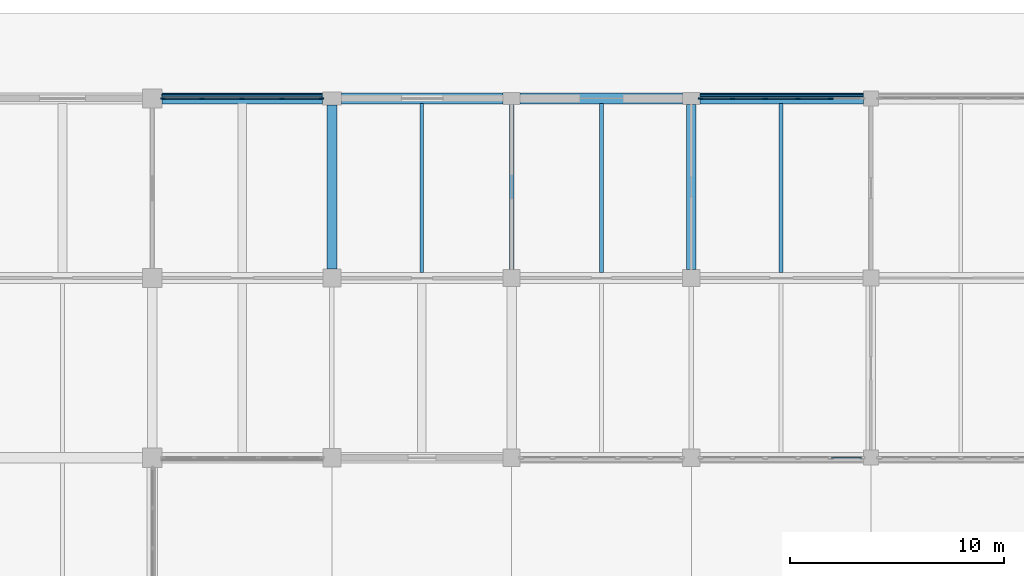
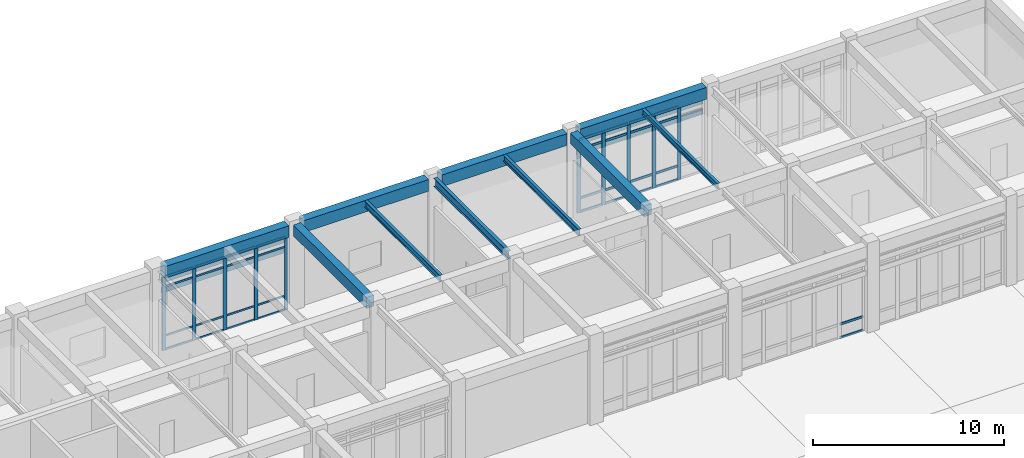
# One storey, part 45 of 91: 48 members, 10 beams, 3 elements without a shape of their own.
"""IFC4 building model written with IfcOpenShell, lengths in metres."""

from ifc_helpers import new_model, si_unit, direction, frame, origin, origin_2d, place, context, subcontext, project, spatial, rectangle, i_section, extrude, material, layer, layer_set, material_profile, profile_set, type_object, element, aggregate, save


model = new_model("IFC4")

# Units and contexts
model_context = context("Model", 3, precision=1e-05, world=origin(), true_north=direction((0.0, 1.0)))
body_context = subcontext(model_context, "Body", "Model", "MODEL_VIEW")
ifc_project = project(units=[si_unit("LENGTHUNIT", "METRE"), si_unit("AREAUNIT", "SQUARE_METRE"), si_unit("VOLUMEUNIT", "CUBIC_METRE"), si_unit("PLANEANGLEUNIT", "RADIAN"), si_unit("MASSUNIT", "GRAM", prefix="KILO")], contexts=[model_context])

# Site, building, storey
site_placement = place(None, origin())
site = spatial("IfcSite", under=ifc_project, at=site_placement, CompositionType="ELEMENT")
building_placement = place(site_placement, origin())
building = spatial("IfcBuilding", under=site, at=building_placement, Name="Porcellanite Civic Hall", CompositionType="ELEMENT")
storey_placement = place(building_placement, origin())
storey = spatial("IfcBuildingStorey", under=building, at=storey_placement, Name="L00", CompositionType="ELEMENT", Elevation=0.0)

# Beams
ifc_material_1 = material(Name="Concrete N50 (50 MPa)", Category="concrete")
ifc_material_profile_1 = material_profile(ifc_material_1, rectangle(XDim=0.449951171875, YDim=0.699951171875, at=origin_2d()), Name="RC-450x700")
ifc_profile_set_1 = profile_set([ifc_material_profile_1], Name="Concrete N50 (50 MPa)")
beam_type_1 = type_object("IfcBeamType", Name="BM-RC700", PredefinedType="BEAM", material=ifc_profile_set_1)
beam_1_placement = place(storey_placement, frame((134.39990234375, 109.62451171875, 5.14990234375), z_axis=(0.0, 1.0, 0.0), x_axis=(-1.0, 0.0, 0.0)))
element("IfcBeam", 1, at=beam_1_placement, inside=storey, type_object=beam_type_1, Name="Beam Y L00 17-14", PredefinedType="BEAM", context=body_context, shape_type="SweptSolid", body=[
    extrude(rectangle(XDim=0.449951171875, YDim=0.699951171875, at=origin_2d()), origin(), (0.0, 0.0, 1.0), 7.676025390625),
])
beam_2_placement = place(storey_placement, frame((151.199951171875, 109.599609375, 5.14990234375), z_axis=(0.0, 1.0, 0.0), x_axis=(-1.0, 0.0, 0.0)))
element("IfcBeam", 2, at=beam_2_placement, inside=storey, type_object=beam_type_1, Name="Beam Y L00 19-14", PredefinedType="BEAM", context=body_context, shape_type="SweptSolid", body=[
    extrude(rectangle(XDim=0.449951171875, YDim=0.699951171875, at=origin_2d()), origin(), (0.0, 0.0, 1.0), 7.725830078125),
])
ifc_material_2 = material(Name="Concrete N50 (50 MPa)", Category="concrete")
ifc_material_profile_2 = material_profile(ifc_material_2, rectangle(XDim=0.5, YDim=0.75, at=origin_2d()), Name="RC-500x750")
ifc_profile_set_2 = profile_set([ifc_material_profile_2], Name="Concrete N50 (50 MPa)")
beam_type_2 = type_object("IfcBeamType", Name="BM-RC750", PredefinedType="SPANDREL", material=ifc_profile_set_2)
beam_3_placement = place(storey_placement, frame((126.449462890625, 117.60009765625, 5.125), z_axis=(1.0, 0.0, 0.0), x_axis=(0.0, 1.0, 0.0)))
element("IfcBeam", 3, at=beam_3_placement, inside=storey, type_object=beam_type_2, Name="Beam X L00 16-15", PredefinedType="SPANDREL", context=body_context, shape_type="SweptSolid", body=[
    extrude(rectangle(XDim=0.5, YDim=0.75, at=origin_2d()), origin(), (0.0, 0.0, 1.0), 7.5009765625),
])
beam_4_placement = place(storey_placement, frame((134.849609375, 117.60009765625, 5.125), z_axis=(1.0, 0.0, 0.0), x_axis=(0.0, 1.0, 0.0)))
element("IfcBeam", 4, at=beam_4_placement, inside=storey, type_object=beam_type_2, Name="Beam X L00 17-15", PredefinedType="SPANDREL", context=body_context, shape_type="SweptSolid", body=[
    extrude(rectangle(XDim=0.5, YDim=0.75, at=origin_2d()), origin(), (0.0, 0.0, 1.0), 7.55078125),
])
beam_5_placement = place(storey_placement, frame((143.199462890625, 117.60009765625, 5.125), z_axis=(1.0, 0.0, 0.0), x_axis=(0.0, 1.0, 0.0)))
element("IfcBeam", 5, at=beam_5_placement, inside=storey, type_object=beam_type_2, Name="Beam X L00 18-15", PredefinedType="SPANDREL", context=body_context, shape_type="SweptSolid", body=[
    extrude(rectangle(XDim=0.5, YDim=0.75, at=origin_2d()), origin(), (0.0, 0.0, 1.0), 7.60107421875),
])
beam_6_placement = place(storey_placement, frame((151.599609375, 117.60009765625, 5.125), z_axis=(1.0, 0.0, 0.0), x_axis=(0.0, 1.0, 0.0)))
element("IfcBeam", 6, at=beam_6_placement, inside=storey, type_object=beam_type_2, Name="Beam X L00 19-15", PredefinedType="SPANDREL", context=body_context, shape_type="SweptSolid", body=[
    extrude(rectangle(XDim=0.5, YDim=0.75, at=origin_2d()), origin(), (0.0, 0.0, 1.0), 7.65087890625),
])

# Curtain wall, members
ifc_material_3 = material(Name="Anodised aluminium and solar laminated glass", Category="aluminium")
ifc_layer_1 = layer(ifc_material_3, 0.179931640625)
ifc_layer_set_1 = layer_set([ifc_layer_1], Name="Anodised aluminium and solar laminated glass")
curtain_wall_type_1 = type_object("IfcCurtainWallType", Name="CW-SYS03", PredefinedType="NOTDEFINED", material=ifc_layer_set_1)
curtain_wall_1_placement = place(storey_placement, origin())
curtain_wall_1 = element("IfcCurtainWall", 7, at=curtain_wall_1_placement, inside=storey, type_object=curtain_wall_type_1, Name="Curtain wall CW-048", PredefinedType="NOTDEFINED")
ifc_material_4 = material(Name="Anodised aluminium 6063-T6", Category="aluminium")
ifc_material_profile_3 = material_profile(ifc_material_4, rectangle(XDim=0.080078125, YDim=0.2099609375, at=origin_2d()), Name="AL-80x210")
ifc_profile_set_3 = profile_set([ifc_material_profile_3], Name="Anodised aluminium 6063-T6")
member_type_1 = type_object("IfcMemberType", Name="CWM-02", PredefinedType="MULLION", material=ifc_profile_set_3)
member_1_placement = place(storey_placement, frame((126.490966796875, 117.60009765625, 0.0), z_axis=(0.0, 0.0, 1.0), x_axis=(0.0, 1.0, 0.0)))
member_1 = element("IfcMember", 8, at=member_1_placement, type_object=member_type_1, Name="CW-048 mullion 1", PredefinedType="MULLION", context=body_context, shape_type="SweptSolid", body=[
    extrude(rectangle(XDim=0.080078125, YDim=0.2099609375, at=origin_2d()), origin(), (0.0, 0.0, 1.0), 4.699951171875),
])
member_2_placement = place(storey_placement, frame((128.325439453125, 117.60009765625, 0.0), z_axis=(0.0, 0.0, 1.0), x_axis=(0.0, 1.0, 0.0)))
member_2 = element("IfcMember", 9, at=member_2_placement, type_object=member_type_1, Name="CW-048 mullion 2", PredefinedType="MULLION", context=body_context, shape_type="SweptSolid", body=[
    extrude(rectangle(XDim=0.080078125, YDim=0.2099609375, at=origin_2d()), origin(), (0.0, 0.0, 1.0), 4.699951171875),
])
member_3_placement = place(storey_placement, frame((130.199951171875, 117.60009765625, 0.0), z_axis=(0.0, 0.0, 1.0), x_axis=(0.0, 1.0, 0.0)))
member_3 = element("IfcMember", 10, at=member_3_placement, type_object=member_type_1, Name="CW-048 mullion 3", PredefinedType="MULLION", context=body_context, shape_type="SweptSolid", body=[
    extrude(rectangle(XDim=0.080078125, YDim=0.2099609375, at=origin_2d()), origin(), (0.0, 0.0, 1.0), 4.699951171875),
])
member_4_placement = place(storey_placement, frame((132.074462890625, 117.60009765625, 0.0), z_axis=(0.0, 0.0, 1.0), x_axis=(0.0, 1.0, 0.0)))
member_4 = element("IfcMember", 11, at=member_4_placement, type_object=member_type_1, Name="CW-048 mullion 4", PredefinedType="MULLION", context=body_context, shape_type="SweptSolid", body=[
    extrude(rectangle(XDim=0.080078125, YDim=0.2099609375, at=origin_2d()), origin(), (0.0, 0.0, 1.0), 4.699951171875),
])
member_5_placement = place(storey_placement, frame((133.908935546875, 117.60009765625, 0.0), z_axis=(0.0, 0.0, 1.0), x_axis=(0.0, 1.0, 0.0)))
member_5 = element("IfcMember", 12, at=member_5_placement, type_object=member_type_1, Name="CW-048 mullion 5", PredefinedType="MULLION", context=body_context, shape_type="SweptSolid", body=[
    extrude(rectangle(XDim=0.080078125, YDim=0.2099609375, at=origin_2d()), origin(), (0.0, 0.0, 1.0), 4.699951171875),
])

ifc_material_5 = material(Name="Anodised aluminium and solar laminated glass", Category="aluminium")
ifc_layer_2 = layer(ifc_material_5, 0.179931640625)
ifc_layer_set_2 = layer_set([ifc_layer_2], Name="Anodised aluminium and solar laminated glass")
curtain_wall_type_2 = type_object("IfcCurtainWallType", Name="CW-SYS02", PredefinedType="NOTDEFINED", material=ifc_layer_set_2)
curtain_wall_2_placement = place(storey_placement, origin())
curtain_wall_2 = element("IfcCurtainWall", 13, at=curtain_wall_2_placement, inside=storey, type_object=curtain_wall_type_2, Name="Curtain wall CW-053", PredefinedType="NOTDEFINED")
ifc_material_6 = material(Name="Anodised aluminium 6063-T6", Category="aluminium")
ifc_material_profile_4 = material_profile(ifc_material_6, rectangle(XDim=0.074951171875, YDim=0.219970703125, at=origin_2d()), Name="AL-75x220")
ifc_profile_set_4 = profile_set([ifc_material_profile_4], Name="Anodised aluminium 6063-T6")
member_type_2 = type_object("IfcMemberType", Name="CWM-03", PredefinedType="MULLION", material=ifc_profile_set_4)
member_6_placement = place(storey_placement, frame((151.638427734375, 117.60009765625, 0.0), z_axis=(0.0, 0.0, 1.0), x_axis=(0.0, 1.0, 0.0)))
member_6 = element("IfcMember", 14, at=member_6_placement, type_object=member_type_2, Name="CW-053 mullion 1", PredefinedType="MULLION", context=body_context, shape_type="SweptSolid", body=[
    extrude(rectangle(XDim=0.074951171875, YDim=0.219970703125, at=origin_2d()), origin(), (0.0, 0.0, 1.0), 4.699951171875),
])
member_7_placement = place(storey_placement, frame((153.130615234375, 117.60009765625, 0.0), z_axis=(0.0, 0.0, 1.0), x_axis=(0.0, 1.0, 0.0)))
member_7 = element("IfcMember", 15, at=member_7_placement, type_object=member_type_2, Name="CW-053 mullion 2", PredefinedType="MULLION", context=body_context, shape_type="SweptSolid", body=[
    extrude(rectangle(XDim=0.074951171875, YDim=0.219970703125, at=origin_2d()), origin(), (0.0, 0.0, 1.0), 4.699951171875),
])
member_8_placement = place(storey_placement, frame((154.66015625, 117.60009765625, 0.0), z_axis=(0.0, 0.0, 1.0), x_axis=(0.0, 1.0, 0.0)))
member_8 = element("IfcMember", 16, at=member_8_placement, type_object=member_type_2, Name="CW-053 mullion 3", PredefinedType="MULLION", context=body_context, shape_type="SweptSolid", body=[
    extrude(rectangle(XDim=0.074951171875, YDim=0.219970703125, at=origin_2d()), origin(), (0.0, 0.0, 1.0), 4.699951171875),
])
member_9_placement = place(storey_placement, frame((156.189697265625, 117.60009765625, 0.0), z_axis=(0.0, 0.0, 1.0), x_axis=(0.0, 1.0, 0.0)))
member_9 = element("IfcMember", 17, at=member_9_placement, type_object=member_type_2, Name="CW-053 mullion 4", PredefinedType="MULLION", context=body_context, shape_type="SweptSolid", body=[
    extrude(rectangle(XDim=0.074951171875, YDim=0.219970703125, at=origin_2d()), origin(), (0.0, 0.0, 1.0), 4.699951171875),
])
member_10_placement = place(storey_placement, frame((157.719482421875, 117.60009765625, 0.0), z_axis=(0.0, 0.0, 1.0), x_axis=(0.0, 1.0, 0.0)))
member_10 = element("IfcMember", 18, at=member_10_placement, type_object=member_type_2, Name="CW-053 mullion 5", PredefinedType="MULLION", context=body_context, shape_type="SweptSolid", body=[
    extrude(rectangle(XDim=0.074951171875, YDim=0.219970703125, at=origin_2d()), origin(), (0.0, 0.0, 1.0), 4.699951171875),
])

curtain_wall_3_placement = place(storey_placement, origin())
curtain_wall_3 = element("IfcCurtainWall", 19, at=curtain_wall_3_placement, inside=storey, type_object=curtain_wall_type_2, Name="Curtain wall CW-052", PredefinedType="NOTDEFINED")
ifc_material_7 = material(Name="Anodised aluminium 6063-T6", Category="aluminium")
ifc_material_profile_5 = material_profile(ifc_material_7, rectangle(XDim=0.06494140625, YDim=0.14990234375, at=origin_2d()), Name="AL-65x150")
ifc_profile_set_5 = profile_set([ifc_material_profile_5], Name="Anodised aluminium 6063-T6")
member_type_3 = type_object("IfcMemberType", Name="CWT-02", PredefinedType="USERDEFINED", material=ifc_profile_set_5)
member_11_placement = place(storey_placement, frame((159.174072265625, 100.800048828125, 0.032470703125), z_axis=(-1.0, 0.0, 0.0), x_axis=(0.0, -1.0, 0.0)))
member_11 = element("IfcMember", 20, at=member_11_placement, type_object=member_type_3, Name="CW-052 transom 1.1", ObjectType="TRANSOM", PredefinedType="USERDEFINED", context=body_context, shape_type="SweptSolid", body=[
    extrude(rectangle(XDim=0.06494140625, YDim=0.14990234375, at=origin_2d()), origin(), (0.0, 0.0, 1.0), 1.417236328125),
])
member_12_placement = place(storey_placement, frame((159.174072265625, 100.800048828125, 0.89990234375), z_axis=(-1.0, 0.0, 0.0), x_axis=(0.0, -1.0, 0.0)))
member_12 = element("IfcMember", 21, at=member_12_placement, type_object=member_type_3, Name="CW-052 transom 1.2", ObjectType="TRANSOM", PredefinedType="USERDEFINED", context=body_context, shape_type="SweptSolid", body=[
    extrude(rectangle(XDim=0.06494140625, YDim=0.14990234375, at=origin_2d()), origin(), (0.0, 0.0, 1.0), 1.417236328125),
])
aggregate(curtain_wall_3, [member_11, member_12])

# Member
member_13_placement = place(storey_placement, frame((151.676025390625, 117.60009765625, 0.032470703125), z_axis=(1.0, 0.0, 0.0), x_axis=(0.0, 1.0, 0.0)))
member_13 = element("IfcMember", 22, at=member_13_placement, type_object=member_type_3, Name="CW-053 transom 1.1", ObjectType="TRANSOM", PredefinedType="USERDEFINED", context=body_context, shape_type="SweptSolid", body=[
    extrude(rectangle(XDim=0.06494140625, YDim=0.14990234375, at=origin_2d()), origin(), (0.0, 0.0, 1.0), 1.4169921875),
])

member_14_placement = place(storey_placement, frame((151.676025390625, 117.60009765625, 0.89990234375), z_axis=(1.0, 0.0, 0.0), x_axis=(0.0, 1.0, 0.0)))
member_14 = element("IfcMember", 23, at=member_14_placement, type_object=member_type_3, Name="CW-053 transom 1.2", ObjectType="TRANSOM", PredefinedType="USERDEFINED", context=body_context, shape_type="SweptSolid", body=[
    extrude(rectangle(XDim=0.06494140625, YDim=0.14990234375, at=origin_2d()), origin(), (0.0, 0.0, 1.0), 1.4169921875),
])

member_15_placement = place(storey_placement, frame((151.676025390625, 117.60009765625, 4.050048828125), z_axis=(1.0, 0.0, 0.0), x_axis=(0.0, 1.0, 0.0)))
member_15 = element("IfcMember", 24, at=member_15_placement, type_object=member_type_3, Name="CW-053 transom 1.3", ObjectType="TRANSOM", PredefinedType="USERDEFINED", context=body_context, shape_type="SweptSolid", body=[
    extrude(rectangle(XDim=0.06494140625, YDim=0.14990234375, at=origin_2d()), origin(), (0.0, 0.0, 1.0), 1.4169921875),
])

member_16_placement = place(storey_placement, frame((151.676025390625, 117.60009765625, 4.66748046875), z_axis=(1.0, 0.0, 0.0), x_axis=(0.0, 1.0, 0.0)))
member_16 = element("IfcMember", 25, at=member_16_placement, type_object=member_type_3, Name="CW-053 transom 1.4", ObjectType="TRANSOM", PredefinedType="USERDEFINED", context=body_context, shape_type="SweptSolid", body=[
    extrude(rectangle(XDim=0.06494140625, YDim=0.14990234375, at=origin_2d()), origin(), (0.0, 0.0, 1.0), 1.4169921875),
])

member_17_placement = place(storey_placement, frame((153.168212890625, 117.60009765625, 0.032470703125), z_axis=(1.0, 0.0, 0.0), x_axis=(0.0, 1.0, 0.0)))
member_17 = element("IfcMember", 26, at=member_17_placement, type_object=member_type_3, Name="CW-053 transom 2.1", ObjectType="TRANSOM", PredefinedType="USERDEFINED", context=body_context, shape_type="SweptSolid", body=[
    extrude(rectangle(XDim=0.06494140625, YDim=0.14990234375, at=origin_2d()), origin(), (0.0, 0.0, 1.0), 1.45458984375),
])

member_18_placement = place(storey_placement, frame((153.168212890625, 117.60009765625, 0.89990234375), z_axis=(1.0, 0.0, 0.0), x_axis=(0.0, 1.0, 0.0)))
member_18 = element("IfcMember", 27, at=member_18_placement, type_object=member_type_3, Name="CW-053 transom 2.2", ObjectType="TRANSOM", PredefinedType="USERDEFINED", context=body_context, shape_type="SweptSolid", body=[
    extrude(rectangle(XDim=0.06494140625, YDim=0.14990234375, at=origin_2d()), origin(), (0.0, 0.0, 1.0), 1.45458984375),
])

member_19_placement = place(storey_placement, frame((153.168212890625, 117.60009765625, 4.050048828125), z_axis=(1.0, 0.0, 0.0), x_axis=(0.0, 1.0, 0.0)))
member_19 = element("IfcMember", 28, at=member_19_placement, type_object=member_type_3, Name="CW-053 transom 2.3", ObjectType="TRANSOM", PredefinedType="USERDEFINED", context=body_context, shape_type="SweptSolid", body=[
    extrude(rectangle(XDim=0.06494140625, YDim=0.14990234375, at=origin_2d()), origin(), (0.0, 0.0, 1.0), 1.45458984375),
])

member_20_placement = place(storey_placement, frame((153.168212890625, 117.60009765625, 4.66748046875), z_axis=(1.0, 0.0, 0.0), x_axis=(0.0, 1.0, 0.0)))
member_20 = element("IfcMember", 29, at=member_20_placement, type_object=member_type_3, Name="CW-053 transom 2.4", ObjectType="TRANSOM", PredefinedType="USERDEFINED", context=body_context, shape_type="SweptSolid", body=[
    extrude(rectangle(XDim=0.06494140625, YDim=0.14990234375, at=origin_2d()), origin(), (0.0, 0.0, 1.0), 1.45458984375),
])

member_21_placement = place(storey_placement, frame((154.69775390625, 117.60009765625, 0.032470703125), z_axis=(1.0, 0.0, 0.0), x_axis=(0.0, 1.0, 0.0)))
member_21 = element("IfcMember", 30, at=member_21_placement, type_object=member_type_3, Name="CW-053 transom 3.1", ObjectType="TRANSOM", PredefinedType="USERDEFINED", context=body_context, shape_type="SweptSolid", body=[
    extrude(rectangle(XDim=0.06494140625, YDim=0.14990234375, at=origin_2d()), origin(), (0.0, 0.0, 1.0), 1.45458984375),
])

member_22_placement = place(storey_placement, frame((154.69775390625, 117.60009765625, 0.89990234375), z_axis=(1.0, 0.0, 0.0), x_axis=(0.0, 1.0, 0.0)))
member_22 = element("IfcMember", 31, at=member_22_placement, type_object=member_type_3, Name="CW-053 transom 3.2", ObjectType="TRANSOM", PredefinedType="USERDEFINED", context=body_context, shape_type="SweptSolid", body=[
    extrude(rectangle(XDim=0.06494140625, YDim=0.14990234375, at=origin_2d()), origin(), (0.0, 0.0, 1.0), 1.45458984375),
])

member_23_placement = place(storey_placement, frame((154.69775390625, 117.60009765625, 4.050048828125), z_axis=(1.0, 0.0, 0.0), x_axis=(0.0, 1.0, 0.0)))
member_23 = element("IfcMember", 32, at=member_23_placement, type_object=member_type_3, Name="CW-053 transom 3.3", ObjectType="TRANSOM", PredefinedType="USERDEFINED", context=body_context, shape_type="SweptSolid", body=[
    extrude(rectangle(XDim=0.06494140625, YDim=0.14990234375, at=origin_2d()), origin(), (0.0, 0.0, 1.0), 1.45458984375),
])

member_24_placement = place(storey_placement, frame((154.69775390625, 117.60009765625, 4.66748046875), z_axis=(1.0, 0.0, 0.0), x_axis=(0.0, 1.0, 0.0)))
member_24 = element("IfcMember", 33, at=member_24_placement, type_object=member_type_3, Name="CW-053 transom 3.4", ObjectType="TRANSOM", PredefinedType="USERDEFINED", context=body_context, shape_type="SweptSolid", body=[
    extrude(rectangle(XDim=0.06494140625, YDim=0.14990234375, at=origin_2d()), origin(), (0.0, 0.0, 1.0), 1.45458984375),
])

member_25_placement = place(storey_placement, frame((156.227294921875, 117.60009765625, 0.032470703125), z_axis=(1.0, 0.0, 0.0), x_axis=(0.0, 1.0, 0.0)))
member_25 = element("IfcMember", 34, at=member_25_placement, type_object=member_type_3, Name="CW-053 transom 4.1", ObjectType="TRANSOM", PredefinedType="USERDEFINED", context=body_context, shape_type="SweptSolid", body=[
    extrude(rectangle(XDim=0.06494140625, YDim=0.14990234375, at=origin_2d()), origin(), (0.0, 0.0, 1.0), 1.45458984375),
])

member_26_placement = place(storey_placement, frame((156.227294921875, 117.60009765625, 0.89990234375), z_axis=(1.0, 0.0, 0.0), x_axis=(0.0, 1.0, 0.0)))
member_26 = element("IfcMember", 35, at=member_26_placement, type_object=member_type_3, Name="CW-053 transom 4.2", ObjectType="TRANSOM", PredefinedType="USERDEFINED", context=body_context, shape_type="SweptSolid", body=[
    extrude(rectangle(XDim=0.06494140625, YDim=0.14990234375, at=origin_2d()), origin(), (0.0, 0.0, 1.0), 1.45458984375),
])

member_27_placement = place(storey_placement, frame((156.227294921875, 117.60009765625, 4.050048828125), z_axis=(1.0, 0.0, 0.0), x_axis=(0.0, 1.0, 0.0)))
member_27 = element("IfcMember", 36, at=member_27_placement, type_object=member_type_3, Name="CW-053 transom 4.3", ObjectType="TRANSOM", PredefinedType="USERDEFINED", context=body_context, shape_type="SweptSolid", body=[
    extrude(rectangle(XDim=0.06494140625, YDim=0.14990234375, at=origin_2d()), origin(), (0.0, 0.0, 1.0), 1.45458984375),
])

member_28_placement = place(storey_placement, frame((156.227294921875, 117.60009765625, 4.66748046875), z_axis=(1.0, 0.0, 0.0), x_axis=(0.0, 1.0, 0.0)))
member_28 = element("IfcMember", 37, at=member_28_placement, type_object=member_type_3, Name="CW-053 transom 4.4", ObjectType="TRANSOM", PredefinedType="USERDEFINED", context=body_context, shape_type="SweptSolid", body=[
    extrude(rectangle(XDim=0.06494140625, YDim=0.14990234375, at=origin_2d()), origin(), (0.0, 0.0, 1.0), 1.45458984375),
])

aggregate(curtain_wall_2, [member_6, member_7, member_8, member_9, member_10, member_13, member_14, member_15, member_16, member_17, member_18, member_19, member_20, member_21, member_22, member_23, member_24, member_25, member_26, member_27, member_28])

ifc_material_8 = material(Name="Anodised aluminium 6063-T6", Category="aluminium")
ifc_material_profile_6 = material_profile(ifc_material_8, rectangle(XDim=0.054931640625, YDim=0.1201171875, at=origin_2d()), Name="AL-55x120")
ifc_profile_set_6 = profile_set([ifc_material_profile_6], Name="Anodised aluminium 6063-T6")
member_type_4 = type_object("IfcMemberType", Name="CWT-04", PredefinedType="USERDEFINED", material=ifc_profile_set_6)
member_29_placement = place(storey_placement, frame((126.531005859375, 117.60009765625, 0.027587890625), z_axis=(1.0, 0.0, 0.0), x_axis=(0.0, 1.0, 0.0)))
member_29 = element("IfcMember", 38, at=member_29_placement, type_object=member_type_4, Name="CW-048 transom 1.1", ObjectType="TRANSOM", PredefinedType="USERDEFINED", context=body_context, shape_type="SweptSolid", body=[
    extrude(rectangle(XDim=0.054931640625, YDim=0.1201171875, at=origin_2d()), origin(), (0.0, 0.0, 1.0), 1.75439453125),
])

member_30_placement = place(storey_placement, frame((126.531005859375, 117.60009765625, 0.89990234375), z_axis=(1.0, 0.0, 0.0), x_axis=(0.0, 1.0, 0.0)))
member_30 = element("IfcMember", 39, at=member_30_placement, type_object=member_type_4, Name="CW-048 transom 1.2", ObjectType="TRANSOM", PredefinedType="USERDEFINED", context=body_context, shape_type="SweptSolid", body=[
    extrude(rectangle(XDim=0.054931640625, YDim=0.1201171875, at=origin_2d()), origin(), (0.0, 0.0, 1.0), 1.75439453125),
])

member_31_placement = place(storey_placement, frame((126.531005859375, 117.60009765625, 4.050048828125), z_axis=(1.0, 0.0, 0.0), x_axis=(0.0, 1.0, 0.0)))
member_31 = element("IfcMember", 40, at=member_31_placement, type_object=member_type_4, Name="CW-048 transom 1.3", ObjectType="TRANSOM", PredefinedType="USERDEFINED", context=body_context, shape_type="SweptSolid", body=[
    extrude(rectangle(XDim=0.054931640625, YDim=0.1201171875, at=origin_2d()), origin(), (0.0, 0.0, 1.0), 1.75439453125),
])

member_32_placement = place(storey_placement, frame((126.531005859375, 117.60009765625, 4.672607421875), z_axis=(1.0, 0.0, 0.0), x_axis=(0.0, 1.0, 0.0)))
member_32 = element("IfcMember", 41, at=member_32_placement, type_object=member_type_4, Name="CW-048 transom 1.4", ObjectType="TRANSOM", PredefinedType="USERDEFINED", context=body_context, shape_type="SweptSolid", body=[
    extrude(rectangle(XDim=0.054931640625, YDim=0.1201171875, at=origin_2d()), origin(), (0.0, 0.0, 1.0), 1.75439453125),
])

member_33_placement = place(storey_placement, frame((128.365478515625, 117.60009765625, 0.027587890625), z_axis=(1.0, 0.0, 0.0), x_axis=(0.0, 1.0, 0.0)))
member_33 = element("IfcMember", 42, at=member_33_placement, type_object=member_type_4, Name="CW-048 transom 2.1", ObjectType="TRANSOM", PredefinedType="USERDEFINED", context=body_context, shape_type="SweptSolid", body=[
    extrude(rectangle(XDim=0.054931640625, YDim=0.1201171875, at=origin_2d()), origin(), (0.0, 0.0, 1.0), 1.79443359375),
])

member_34_placement = place(storey_placement, frame((128.365478515625, 117.60009765625, 0.89990234375), z_axis=(1.0, 0.0, 0.0), x_axis=(0.0, 1.0, 0.0)))
member_34 = element("IfcMember", 43, at=member_34_placement, type_object=member_type_4, Name="CW-048 transom 2.2", ObjectType="TRANSOM", PredefinedType="USERDEFINED", context=body_context, shape_type="SweptSolid", body=[
    extrude(rectangle(XDim=0.054931640625, YDim=0.1201171875, at=origin_2d()), origin(), (0.0, 0.0, 1.0), 1.79443359375),
])

member_35_placement = place(storey_placement, frame((128.365478515625, 117.60009765625, 4.050048828125), z_axis=(1.0, 0.0, 0.0), x_axis=(0.0, 1.0, 0.0)))
member_35 = element("IfcMember", 44, at=member_35_placement, type_object=member_type_4, Name="CW-048 transom 2.3", ObjectType="TRANSOM", PredefinedType="USERDEFINED", context=body_context, shape_type="SweptSolid", body=[
    extrude(rectangle(XDim=0.054931640625, YDim=0.1201171875, at=origin_2d()), origin(), (0.0, 0.0, 1.0), 1.79443359375),
])

member_36_placement = place(storey_placement, frame((128.365478515625, 117.60009765625, 4.672607421875), z_axis=(1.0, 0.0, 0.0), x_axis=(0.0, 1.0, 0.0)))
member_36 = element("IfcMember", 45, at=member_36_placement, type_object=member_type_4, Name="CW-048 transom 2.4", ObjectType="TRANSOM", PredefinedType="USERDEFINED", context=body_context, shape_type="SweptSolid", body=[
    extrude(rectangle(XDim=0.054931640625, YDim=0.1201171875, at=origin_2d()), origin(), (0.0, 0.0, 1.0), 1.79443359375),
])

member_37_placement = place(storey_placement, frame((130.239990234375, 117.60009765625, 0.027587890625), z_axis=(1.0, 0.0, 0.0), x_axis=(0.0, 1.0, 0.0)))
member_37 = element("IfcMember", 46, at=member_37_placement, type_object=member_type_4, Name="CW-048 transom 3.1", ObjectType="TRANSOM", PredefinedType="USERDEFINED", context=body_context, shape_type="SweptSolid", body=[
    extrude(rectangle(XDim=0.054931640625, YDim=0.1201171875, at=origin_2d()), origin(), (0.0, 0.0, 1.0), 1.79443359375),
])

member_38_placement = place(storey_placement, frame((130.239990234375, 117.60009765625, 0.89990234375), z_axis=(1.0, 0.0, 0.0), x_axis=(0.0, 1.0, 0.0)))
member_38 = element("IfcMember", 47, at=member_38_placement, type_object=member_type_4, Name="CW-048 transom 3.2", ObjectType="TRANSOM", PredefinedType="USERDEFINED", context=body_context, shape_type="SweptSolid", body=[
    extrude(rectangle(XDim=0.054931640625, YDim=0.1201171875, at=origin_2d()), origin(), (0.0, 0.0, 1.0), 1.79443359375),
])

member_39_placement = place(storey_placement, frame((130.239990234375, 117.60009765625, 4.050048828125), z_axis=(1.0, 0.0, 0.0), x_axis=(0.0, 1.0, 0.0)))
member_39 = element("IfcMember", 48, at=member_39_placement, type_object=member_type_4, Name="CW-048 transom 3.3", ObjectType="TRANSOM", PredefinedType="USERDEFINED", context=body_context, shape_type="SweptSolid", body=[
    extrude(rectangle(XDim=0.054931640625, YDim=0.1201171875, at=origin_2d()), origin(), (0.0, 0.0, 1.0), 1.79443359375),
])

member_40_placement = place(storey_placement, frame((130.239990234375, 117.60009765625, 4.672607421875), z_axis=(1.0, 0.0, 0.0), x_axis=(0.0, 1.0, 0.0)))
member_40 = element("IfcMember", 49, at=member_40_placement, type_object=member_type_4, Name="CW-048 transom 3.4", ObjectType="TRANSOM", PredefinedType="USERDEFINED", context=body_context, shape_type="SweptSolid", body=[
    extrude(rectangle(XDim=0.054931640625, YDim=0.1201171875, at=origin_2d()), origin(), (0.0, 0.0, 1.0), 1.79443359375),
])

member_41_placement = place(storey_placement, frame((132.114501953125, 117.60009765625, 0.027587890625), z_axis=(1.0, 0.0, 0.0), x_axis=(0.0, 1.0, 0.0)))
member_41 = element("IfcMember", 50, at=member_41_placement, type_object=member_type_4, Name="CW-048 transom 4.1", ObjectType="TRANSOM", PredefinedType="USERDEFINED", context=body_context, shape_type="SweptSolid", body=[
    extrude(rectangle(XDim=0.054931640625, YDim=0.1201171875, at=origin_2d()), origin(), (0.0, 0.0, 1.0), 1.75439453125),
])

member_42_placement = place(storey_placement, frame((132.114501953125, 117.60009765625, 0.89990234375), z_axis=(1.0, 0.0, 0.0), x_axis=(0.0, 1.0, 0.0)))
member_42 = element("IfcMember", 51, at=member_42_placement, type_object=member_type_4, Name="CW-048 transom 4.2", ObjectType="TRANSOM", PredefinedType="USERDEFINED", context=body_context, shape_type="SweptSolid", body=[
    extrude(rectangle(XDim=0.054931640625, YDim=0.1201171875, at=origin_2d()), origin(), (0.0, 0.0, 1.0), 1.75439453125),
])

member_43_placement = place(storey_placement, frame((132.114501953125, 117.60009765625, 4.050048828125), z_axis=(1.0, 0.0, 0.0), x_axis=(0.0, 1.0, 0.0)))
member_43 = element("IfcMember", 52, at=member_43_placement, type_object=member_type_4, Name="CW-048 transom 4.3", ObjectType="TRANSOM", PredefinedType="USERDEFINED", context=body_context, shape_type="SweptSolid", body=[
    extrude(rectangle(XDim=0.054931640625, YDim=0.1201171875, at=origin_2d()), origin(), (0.0, 0.0, 1.0), 1.75439453125),
])

member_44_placement = place(storey_placement, frame((132.114501953125, 117.60009765625, 4.672607421875), z_axis=(1.0, 0.0, 0.0), x_axis=(0.0, 1.0, 0.0)))
member_44 = element("IfcMember", 53, at=member_44_placement, type_object=member_type_4, Name="CW-048 transom 4.4", ObjectType="TRANSOM", PredefinedType="USERDEFINED", context=body_context, shape_type="SweptSolid", body=[
    extrude(rectangle(XDim=0.054931640625, YDim=0.1201171875, at=origin_2d()), origin(), (0.0, 0.0, 1.0), 1.75439453125),
])

aggregate(curtain_wall_1, [member_1, member_2, member_3, member_4, member_5, member_29, member_30, member_31, member_32, member_33, member_34, member_35, member_36, member_37, member_38, member_39, member_40, member_41, member_42, member_43, member_44])

# Beams
ifc_material_9 = material(Name="Steel Grade 350", Category="steel")
ifc_material_profile_7 = material_profile(ifc_material_9, i_section(OverallWidth=0.172119140625, OverallDepth=0.35888671875, WebThickness=0.008056640625, FlangeThickness=0.012939453125, FilletRadius=0.011474609375, at=origin_2d()), Name="360UB56.7")
ifc_profile_set_7 = profile_set([ifc_material_profile_7], Name="Steel Grade 350")
beam_type_3 = type_object("IfcBeamType", Name="JST-360UB57", PredefinedType="JOIST", material=ifc_profile_set_7)
beam_7_placement = place(storey_placement, frame((155.39990234375, 109.449462890625, 5.320556640625), z_axis=(0.0, 1.0, 0.0), x_axis=(-1.0, 0.0, 0.0)))
element("IfcBeam", 54, at=beam_7_placement, inside=storey, type_object=beam_type_3, Name="Secondary joist L00 19-14", PredefinedType="JOIST", context=body_context, shape_type="SweptSolid", body=[
    extrude(i_section(OverallWidth=0.172119140625, OverallDepth=0.35888671875, WebThickness=0.008056640625, FlangeThickness=0.012939453125, FilletRadius=0.011474609375, at=origin_2d()), origin(), (0.0, 0.0, 1.0), 7.901123046875),
])
ifc_material_10 = material(Name="Steel Grade 350", Category="steel")
ifc_material_profile_8 = material_profile(ifc_material_10, i_section(OverallWidth=0.177978515625, OverallDepth=0.403076171875, WebThickness=0.007568359375, FlangeThickness=0.010986328125, FilletRadius=0.011474609375, at=origin_2d()), Name="410UB53.7")
ifc_profile_set_8 = profile_set([ifc_material_profile_8], Name="Steel Grade 350")
beam_type_4 = type_object("IfcBeamType", Name="JST-410UB54", PredefinedType="JOIST", material=ifc_profile_set_8)
beam_8_placement = place(storey_placement, frame((147.0, 109.449462890625, 5.298583984375), z_axis=(0.0, 1.0, 0.0), x_axis=(-1.0, 0.0, 0.0)))
element("IfcBeam", 55, at=beam_8_placement, inside=storey, type_object=beam_type_4, Name="Secondary joist L00 18-14", PredefinedType="JOIST", context=body_context, shape_type="SweptSolid", body=[
    extrude(i_section(OverallWidth=0.177978515625, OverallDepth=0.403076171875, WebThickness=0.007568359375, FlangeThickness=0.010986328125, FilletRadius=0.011474609375, at=origin_2d()), origin(), (0.0, 0.0, 1.0), 7.901123046875),
])
ifc_material_11 = material(Name="Steel Grade 350", Category="steel")
ifc_material_profile_9 = material_profile(ifc_material_11, i_section(OverallWidth=0.177978515625, OverallDepth=0.406005859375, WebThickness=0.0078125, FlangeThickness=0.0126953125, FilletRadius=0.011474609375, at=origin_2d()), Name="410UB59.7")
ifc_profile_set_9 = profile_set([ifc_material_profile_9], Name="Steel Grade 350")
beam_type_5 = type_object("IfcBeamType", Name="JST-410UB60", PredefinedType="JOIST", material=ifc_profile_set_9)
beam_9_placement = place(storey_placement, frame((138.60009765625, 109.449462890625, 5.297119140625), z_axis=(0.0, 1.0, 0.0), x_axis=(-1.0, 0.0, 0.0)))
element("IfcBeam", 56, at=beam_9_placement, inside=storey, type_object=beam_type_5, Name="Secondary joist L00 17-14", PredefinedType="JOIST", context=body_context, shape_type="SweptSolid", body=[
    extrude(i_section(OverallWidth=0.177978515625, OverallDepth=0.406005859375, WebThickness=0.0078125, FlangeThickness=0.0126953125, FilletRadius=0.011474609375, at=origin_2d()), origin(), (0.0, 0.0, 1.0), 7.901123046875),
])

# Members
ifc_material_12 = material(Name="Fluoropolymer bauxite-red aluminium 6063-T6", Category="aluminium")
ifc_material_profile_10 = material_profile(ifc_material_12, rectangle(XDim=0.090087890625, YDim=0.360107421875, at=origin_2d()), Name="AL-90x360")
ifc_profile_set_10 = profile_set([ifc_material_profile_10], Name="Fluoropolymer bauxite-red aluminium 6063-T6")
member_type_5 = type_object("IfcMemberType", Name="LV-BLD01", PredefinedType="USERDEFINED", material=ifc_profile_set_10)
for number, where, z_axis, x_axis, name in (
    (57, (126.449462890625, 117.751953125, 4.39990234375), (1.0, 0.0, 0.0), (0.0, 1.0, 0.0), "Cyclone sunshade louvre L00 N 15-13 1"),
    (58, (126.449462890625, 117.751953125, 3.75), (1.0, 0.0, 0.0), (0.0, 1.0, 0.0), "Cyclone sunshade louvre L00 N 15-13 2"),
):
    element("IfcMember", number, at=place(storey_placement, frame(where, z_axis=z_axis, x_axis=x_axis)), inside=storey, type_object=member_type_5, Name=name, ObjectType="LOUVRE BLADE", PredefinedType="USERDEFINED", context=body_context, shape_type="SweptSolid", body=[
        extrude(rectangle(XDim=0.090087890625, YDim=0.360107421875, at=origin_2d()), origin(), (0.0, 0.0, 1.0), 7.5009765625),
    ])
ifc_material_13 = material(Name="Fluoropolymer bauxite-red aluminium 6063-T6", Category="aluminium")
ifc_material_profile_11 = material_profile(ifc_material_13, rectangle(XDim=0.080078125, YDim=0.320068359375, at=origin_2d()), Name="AL-80x320")
ifc_profile_set_11 = profile_set([ifc_material_profile_11], Name="Fluoropolymer bauxite-red aluminium 6063-T6")
member_type_6 = type_object("IfcMemberType", Name="LV-BLD03", PredefinedType="USERDEFINED", material=ifc_profile_set_11)
for number, where, z_axis, x_axis, name in (
    (59, (151.599609375, 117.751953125, 4.39990234375), (1.0, 0.0, 0.0), (0.0, 1.0, 0.0), "Cyclone sunshade louvre L00 N 18-13 1"),
    (60, (151.599609375, 117.751953125, 3.75), (1.0, 0.0, 0.0), (0.0, 1.0, 0.0), "Cyclone sunshade louvre L00 N 18-13 2"),
):
    element("IfcMember", number, at=place(storey_placement, frame(where, z_axis=z_axis, x_axis=x_axis)), inside=storey, type_object=member_type_6, Name=name, ObjectType="LOUVRE BLADE", PredefinedType="USERDEFINED", context=body_context, shape_type="SweptSolid", body=[
        extrude(rectangle(XDim=0.080078125, YDim=0.320068359375, at=origin_2d()), origin(), (0.0, 0.0, 1.0), 7.65087890625),
    ])

# Beam
ifc_material_14 = material(Name="Steel Grade 350", Category="steel")
ifc_material_profile_12 = material_profile(ifc_material_14, i_section(OverallWidth=0.208984375, OverallDepth=0.528076171875, WebThickness=0.009521484375, FlangeThickness=0.01318359375, FilletRadius=0.013916015625, at=origin_2d()), Name="530UB82.0")
ifc_profile_set_12 = profile_set([ifc_material_profile_12], Name="Steel Grade 350")
beam_type_6 = type_object("IfcBeamType", Name="RAF-530UB82", PredefinedType="BEAM", material=ifc_profile_set_12)
beam_10_placement = place(storey_placement, frame((142.800048828125, 109.599609375, 5.236083984375), z_axis=(0.0, 1.0, 0.0), x_axis=(-1.0, 0.0, 0.0)))
element("IfcBeam", 61, at=beam_10_placement, inside=storey, type_object=beam_type_6, Name="Beam Y L00 18-14", PredefinedType="BEAM", context=body_context, shape_type="SweptSolid", body=[
    extrude(i_section(OverallWidth=0.208984375, OverallDepth=0.528076171875, WebThickness=0.009521484375, FlangeThickness=0.01318359375, FilletRadius=0.013916015625, at=origin_2d()), origin(), (0.0, 0.0, 1.0), 7.725830078125),
])

save(model, "model.ifc")
